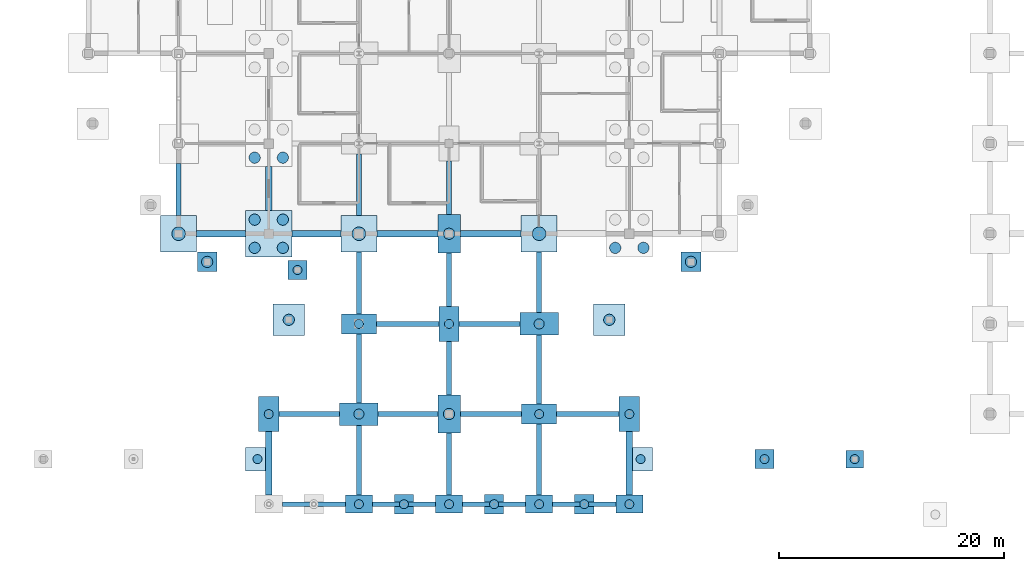
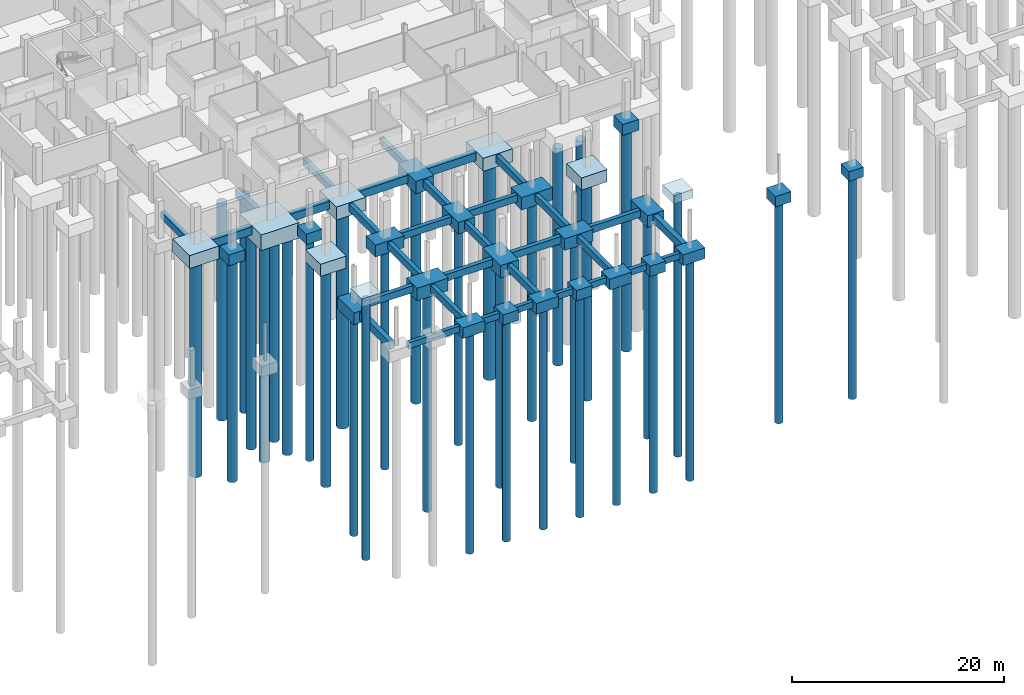
# One storey, part 3 of 48: 58 footings, 36 piles.
"""IFC4 building model written with IfcOpenShell, lengths in metres."""

from ifc_helpers import new_model, si_unit, derived_unit, direction, frame, origin, origin_2d, place, context, subcontext, project, spatial, rectangle, circle, extrude, material, material_profile, profile_set, type_object, element, save


model = new_model("IFC4")

# Units and contexts
model_context = context("Model", 3, precision=1e-05, world=origin(), true_north=direction((0.0, 1.0)))
body_context = subcontext(model_context, "Body", "Model", "MODEL_VIEW")
ifc_project = project(units=[si_unit("LENGTHUNIT", "METRE"), si_unit("AREAUNIT", "SQUARE_METRE"), si_unit("VOLUMEUNIT", "CUBIC_METRE"), si_unit("PLANEANGLEUNIT", "RADIAN"), si_unit("MASSUNIT", "GRAM", prefix="KILO"), derived_unit("THERMALTRANSMITTANCEUNIT", [(si_unit("MASSUNIT", "GRAM", prefix="KILO"), 1), (si_unit("TIMEUNIT", "SECOND"), -3), (si_unit("THERMODYNAMICTEMPERATUREUNIT", "KELVIN"), -1)])], contexts=[model_context])

# Site, building, storey
site_placement = place(None, origin())
site = spatial("IfcSite", under=ifc_project, at=site_placement, CompositionType="ELEMENT")
building_placement = place(site_placement, origin())
building = spatial("IfcBuilding", under=site, at=building_placement, Name="Veyamyaing Civic Hall", CompositionType="ELEMENT")
storey_placement = place(building_placement, frame((0.0, 0.0, -4.2900390625)))
storey = spatial("IfcBuildingStorey", under=building, at=storey_placement, Name="B1", CompositionType="ELEMENT", Elevation=-4.2900390625)

# Footings
ifc_material_1 = material(Name="Concrete C40/50", Category="concrete")
ifc_material_profile_1 = material_profile(ifc_material_1, rectangle(XDim=0.449951171875, YDim=0.800048828125, at=origin_2d()), Name="GB-450X800")
ifc_profile_set_1 = profile_set([ifc_material_profile_1], Name="Concrete C40/50")
footing_type_1 = type_object("IfcFootingType", Name="GB-02", PredefinedType="FOOTING_BEAM", material=ifc_profile_set_1)
footing_1_placement = place(storey_placement, frame((64.0, 25.60009765625, -0.550048828125), z_axis=(0.0, 1.0, 0.0), x_axis=(-1.0, 0.0, 0.0)))
element("IfcFooting", 1, at=footing_1_placement, inside=storey, type_object=footing_type_1, Name="Footing tie beam GB-02 Y 8-3", PredefinedType="FOOTING_BEAM", context=body_context, shape_type="SweptSolid", body=[
    extrude(rectangle(XDim=0.449951171875, YDim=0.800048828125, at=origin_2d()), origin(), (0.0, 0.0, 1.0), 4.64990234375),
])
footing_2_placement = place(storey_placement, frame((72.89990234375, 8.0, -0.550048828125), z_axis=(1.0, 0.0, 0.0), x_axis=(0.0, 1.0, 0.0)))
element("IfcFooting", 2, at=footing_2_placement, inside=storey, type_object=footing_type_1, Name="Footing tie beam GB-02 X 9-1", PredefinedType="FOOTING_BEAM", context=body_context, shape_type="SweptSolid", body=[
    extrude(rectangle(XDim=0.449951171875, YDim=0.800048828125, at=origin_2d()), origin(), (0.0, 0.0, 1.0), 5.400146484375),
])
footing_3_placement = place(storey_placement, frame((80.0, 0.800048828125, -0.550048828125), z_axis=(0.0, 1.0, 0.0), x_axis=(-1.0, 0.0, 0.0)))
element("IfcFooting", 3, at=footing_3_placement, inside=storey, type_object=footing_type_1, Name="Footing tie beam GB-02 Y 10-0", PredefinedType="FOOTING_BEAM", context=body_context, shape_type="SweptSolid", body=[
    extrude(rectangle(XDim=0.449951171875, YDim=0.800048828125, at=origin_2d()), origin(), (0.0, 0.0, 1.0), 6.199951171875),
])
footing_4_placement = place(storey_placement, frame((81.699951171875, 8.0, -0.550048828125), z_axis=(1.0, 0.0, 0.0), x_axis=(0.0, 1.0, 0.0)))
element("IfcFooting", 4, at=footing_4_placement, inside=storey, type_object=footing_type_1, Name="Footing tie beam GB-02 X 10-1", PredefinedType="FOOTING_BEAM", context=body_context, shape_type="SweptSolid", body=[
    extrude(rectangle(XDim=0.449951171875, YDim=0.800048828125, at=origin_2d()), origin(), (0.0, 0.0, 1.0), 5.300048828125),
])
footing_5_placement = place(storey_placement, frame((80.0, 9.0, -0.550048828125), z_axis=(0.0, 1.0, 0.0), x_axis=(-1.0, 0.0, 0.0)))
element("IfcFooting", 5, at=footing_5_placement, inside=storey, type_object=footing_type_1, Name="Footing tie beam GB-02 Y 10-1", PredefinedType="FOOTING_BEAM", context=body_context, shape_type="SweptSolid", body=[
    extrude(rectangle(XDim=0.449951171875, YDim=0.800048828125, at=origin_2d()), origin(), (0.0, 0.0, 1.0), 6.10009765625),
])
footing_6_placement = place(storey_placement, frame((81.550048828125, 16.0, -0.550048828125), z_axis=(1.0, 0.0, 0.0), x_axis=(0.0, 1.0, 0.0)))
element("IfcFooting", 6, at=footing_6_placement, inside=storey, type_object=footing_type_1, Name="Footing tie beam GB-02 X 10-2", PredefinedType="FOOTING_BEAM", context=body_context, shape_type="SweptSolid", body=[
    extrude(rectangle(XDim=0.449951171875, YDim=0.800048828125, at=origin_2d()), origin(), (0.0, 0.0, 1.0), 5.550048828125),
])
for number, where, z_axis, x_axis, name in (
    (7, (80.0, 16.89990234375, -0.550048828125), (0.0, 1.0, 0.0), (-1.0, 0.0, 0.0), "Footing tie beam GB-02 Y 10-2"),
    (8, (80.0, 25.60009765625, -0.550048828125), (0.0, 1.0, 0.0), (-1.0, 0.0, 0.0), "Footing tie beam GB-02 Y 10-3"),
    (9, (88.0, 0.800048828125, -0.550048828125), (0.0, 1.0, 0.0), (-1.0, 0.0, 0.0), "Footing tie beam GB-02 Y 11-0"),
):
    element("IfcFooting", number, at=place(storey_placement, frame(where, z_axis=z_axis, x_axis=x_axis)), inside=storey, type_object=footing_type_1, Name=name, PredefinedType="FOOTING_BEAM", context=body_context, shape_type="SweptSolid", body=[
        extrude(rectangle(XDim=0.449951171875, YDim=0.800048828125, at=origin_2d()), origin(), (0.0, 0.0, 1.0), 5.5),
    ])
footing_7_placement = place(storey_placement, frame((89.0, 8.0, -0.550048828125), z_axis=(1.0, 0.0, 0.0), x_axis=(0.0, 1.0, 0.0)))
element("IfcFooting", 10, at=footing_7_placement, inside=storey, type_object=footing_type_1, Name="Footing tie beam GB-02 X 11-1", PredefinedType="FOOTING_BEAM", context=body_context, shape_type="SweptSolid", body=[
    extrude(rectangle(XDim=0.449951171875, YDim=0.800048828125, at=origin_2d()), origin(), (0.0, 0.0, 1.0), 5.449951171875),
])
footing_8_placement = place(storey_placement, frame((88.0, 9.699951171875, -0.550048828125), z_axis=(0.0, 1.0, 0.0), x_axis=(-1.0, 0.0, 0.0)))
element("IfcFooting", 11, at=footing_8_placement, inside=storey, type_object=footing_type_1, Name="Footing tie beam GB-02 Y 11-1", PredefinedType="FOOTING_BEAM", context=body_context, shape_type="SweptSolid", body=[
    extrude(rectangle(XDim=0.449951171875, YDim=0.800048828125, at=origin_2d()), origin(), (0.0, 0.0, 1.0), 4.75),
])
footing_9_placement = place(storey_placement, frame((88.89990234375, 16.0, -0.550048828125), z_axis=(1.0, 0.0, 0.0), x_axis=(0.0, 1.0, 0.0)))
element("IfcFooting", 12, at=footing_9_placement, inside=storey, type_object=footing_type_1, Name="Footing tie beam GB-02 X 11-2", PredefinedType="FOOTING_BEAM", context=body_context, shape_type="SweptSolid", body=[
    extrude(rectangle(XDim=0.449951171875, YDim=0.800048828125, at=origin_2d()), origin(), (0.0, 0.0, 1.0), 5.400146484375),
])
for number, where, z_axis, x_axis, name in (
    (13, (88.0, 17.550048828125, -0.550048828125), (0.0, 1.0, 0.0), (-1.0, 0.0, 0.0), "Footing tie beam GB-02 Y 11-2"),
    (14, (88.0, 25.699951171875, -0.550048828125), (0.0, 1.0, 0.0), (-1.0, 0.0, 0.0), "Footing tie beam GB-02 Y 11-3"),
):
    element("IfcFooting", number, at=place(storey_placement, frame(where, z_axis=z_axis, x_axis=x_axis)), inside=storey, type_object=footing_type_1, Name=name, PredefinedType="FOOTING_BEAM", context=body_context, shape_type="SweptSolid", body=[
        extrude(rectangle(XDim=0.449951171875, YDim=0.800048828125, at=origin_2d()), origin(), (0.0, 0.0, 1.0), 4.75),
    ])
footing_10_placement = place(storey_placement, frame((96.0, 0.800048828125, -0.550048828125), z_axis=(0.0, 1.0, 0.0), x_axis=(-1.0, 0.0, 0.0)))
element("IfcFooting", 15, at=footing_10_placement, inside=storey, type_object=footing_type_1, Name="Footing tie beam GB-02 Y 12-0", PredefinedType="FOOTING_BEAM", context=body_context, shape_type="SweptSolid", body=[
    extrude(rectangle(XDim=0.449951171875, YDim=0.800048828125, at=origin_2d()), origin(), (0.0, 0.0, 1.0), 6.300048828125),
])
footing_11_placement = place(storey_placement, frame((97.550048828125, 8.0, -0.550048828125), z_axis=(1.0, 0.0, 0.0), x_axis=(0.0, 1.0, 0.0)))
element("IfcFooting", 16, at=footing_11_placement, inside=storey, type_object=footing_type_1, Name="Footing tie beam GB-02 X 12-1", PredefinedType="FOOTING_BEAM", context=body_context, shape_type="SweptSolid", body=[
    extrude(rectangle(XDim=0.449951171875, YDim=0.800048828125, at=origin_2d()), origin(), (0.0, 0.0, 1.0), 5.550048828125),
])
footing_12_placement = place(storey_placement, frame((96.0, 8.89990234375, -0.550048828125), z_axis=(0.0, 1.0, 0.0), x_axis=(-1.0, 0.0, 0.0)))
element("IfcFooting", 17, at=footing_12_placement, inside=storey, type_object=footing_type_1, Name="Footing tie beam GB-02 Y 12-1", PredefinedType="FOOTING_BEAM", context=body_context, shape_type="SweptSolid", body=[
    extrude(rectangle(XDim=0.449951171875, YDim=0.800048828125, at=origin_2d()), origin(), (0.0, 0.0, 1.0), 6.10009765625),
])
footing_13_placement = place(storey_placement, frame((96.0, 17.0, -0.550048828125), z_axis=(0.0, 1.0, 0.0), x_axis=(-1.0, 0.0, 0.0)))
element("IfcFooting", 18, at=footing_13_placement, inside=storey, type_object=footing_type_1, Name="Footing tie beam GB-02 Y 12-2", PredefinedType="FOOTING_BEAM", context=body_context, shape_type="SweptSolid", body=[
    extrude(rectangle(XDim=0.449951171875, YDim=0.800048828125, at=origin_2d()), origin(), (0.0, 0.0, 1.0), 5.39990234375),
])
ifc_material_profile_2 = material_profile(ifc_material_1, rectangle(XDim=0.39990234375, YDim=0.699951171875, at=origin_2d()), Name="GB-400X700")
ifc_profile_set_2 = profile_set([ifc_material_profile_2], Name="Concrete C40/50")
footing_type_2 = type_object("IfcFootingType", Name="GB-03", PredefinedType="FOOTING_BEAM", material=ifc_profile_set_2)
for number, where, z_axis, x_axis, name in (
    (19, (73.199951171875, 0.0, -0.5), (1.0, 0.0, 0.0), (0.0, 1.0, 0.0), "Footing tie beam GB-03 X 9-0"),
    (20, (81.199951171875, 0.0, -0.5), (1.0, 0.0, 0.0), (0.0, 1.0, 0.0), "Footing tie beam GB-03 X 10-0"),
    (21, (89.199951171875, 0.0, -0.5), (1.0, 0.0, 0.0), (0.0, 1.0, 0.0), "Footing tie beam GB-03 X 11-0"),
    (22, (97.199951171875, 0.0, -0.5), (1.0, 0.0, 0.0), (0.0, 1.0, 0.0), "Footing tie beam GB-03 X 12-0"),
):
    element("IfcFooting", number, at=place(storey_placement, frame(where, z_axis=z_axis, x_axis=x_axis)), inside=storey, type_object=footing_type_2, Name=name, PredefinedType="FOOTING_BEAM", context=body_context, shape_type="SweptSolid", body=[
        extrude(rectangle(XDim=0.39990234375, YDim=0.699951171875, at=origin_2d()), origin(), (0.0, 0.0, 1.0), 5.60009765625),
    ])
ifc_material_profile_3 = material_profile(ifc_material_1, rectangle(XDim=0.550048828125, YDim=0.89990234375, at=origin_2d()), Name="GB-550X900")
ifc_profile_set_3 = profile_set([ifc_material_profile_3], Name="Concrete C40/50")
footing_type_3 = type_object("IfcFootingType", Name="GB-04", PredefinedType="FOOTING_BEAM", material=ifc_profile_set_3)
footing_14_placement = place(storey_placement, frame((65.60009765625, 24.0, -0.599853515625), z_axis=(1.0, 0.0, 0.0), x_axis=(0.0, 1.0, 0.0)))
element("IfcFooting", 23, at=footing_14_placement, inside=storey, type_object=footing_type_3, Name="Footing tie beam GB-04 X 8-3", PredefinedType="FOOTING_BEAM", context=body_context, shape_type="SweptSolid", body=[
    extrude(rectangle(XDim=0.550048828125, YDim=0.89990234375, at=origin_2d()), origin(), (0.0, 0.0, 1.0), 4.349853515625),
])
footing_15_placement = place(storey_placement, frame((72.0, 0.800048828125, -0.599853515625), z_axis=(0.0, 1.0, 0.0), x_axis=(-1.0, 0.0, 0.0)))
element("IfcFooting", 24, at=footing_15_placement, inside=storey, type_object=footing_type_3, Name="Footing tie beam GB-04 Y 9-0", PredefinedType="FOOTING_BEAM", context=body_context, shape_type="SweptSolid", body=[
    extrude(rectangle(XDim=0.550048828125, YDim=0.89990234375, at=origin_2d()), origin(), (0.0, 0.0, 1.0), 5.64990234375),
])
footing_16_placement = place(storey_placement, frame((74.050048828125, 24.0, -0.599853515625), z_axis=(1.0, 0.0, 0.0), x_axis=(0.0, 1.0, 0.0)))
element("IfcFooting", 25, at=footing_16_placement, inside=storey, type_object=footing_type_3, Name="Footing tie beam GB-04 X 9-3", PredefinedType="FOOTING_BEAM", context=body_context, shape_type="SweptSolid", body=[
    extrude(rectangle(XDim=0.550048828125, YDim=0.89990234375, at=origin_2d()), origin(), (0.0, 0.0, 1.0), 4.349853515625),
])
footing_17_placement = place(storey_placement, frame((72.0, 26.050048828125, -0.599853515625), z_axis=(0.0, 1.0, 0.0), x_axis=(-1.0, 0.0, 0.0)))
element("IfcFooting", 26, at=footing_17_placement, inside=storey, type_object=footing_type_3, Name="Footing tie beam GB-04 Y 9-3", PredefinedType="FOOTING_BEAM", context=body_context, shape_type="SweptSolid", body=[
    extrude(rectangle(XDim=0.550048828125, YDim=0.89990234375, at=origin_2d()), origin(), (0.0, 0.0, 1.0), 3.89990234375),
])
for number, where, z_axis, x_axis, name in (
    (27, (81.60009765625, 24.0, -0.599853515625), (1.0, 0.0, 0.0), (0.0, 1.0, 0.0), "Footing tie beam GB-04 X 10-3"),
    (28, (89.0, 24.0, -0.599853515625), (1.0, 0.0, 0.0), (0.0, 1.0, 0.0), "Footing tie beam GB-04 X 11-3"),
):
    element("IfcFooting", number, at=place(storey_placement, frame(where, z_axis=z_axis, x_axis=x_axis)), inside=storey, type_object=footing_type_3, Name=name, PredefinedType="FOOTING_BEAM", context=body_context, shape_type="SweptSolid", body=[
        extrude(rectangle(XDim=0.550048828125, YDim=0.89990234375, at=origin_2d()), origin(), (0.0, 0.0, 1.0), 5.39990234375),
    ])
footing_18_placement = place(storey_placement, frame((104.0, 0.800048828125, -0.599853515625), z_axis=(0.0, 1.0, 0.0), x_axis=(-1.0, 0.0, 0.0)))
element("IfcFooting", 29, at=footing_18_placement, inside=storey, type_object=footing_type_3, Name="Footing tie beam GB-04 Y 13-0", PredefinedType="FOOTING_BEAM", context=body_context, shape_type="SweptSolid", body=[
    extrude(rectangle(XDim=0.550048828125, YDim=0.89990234375, at=origin_2d()), origin(), (0.0, 0.0, 1.0), 5.64990234375),
])

# Piles
ifc_material_2 = material(Name="Concrete C35/45", Category="concrete")
ifc_material_profile_4 = material_profile(ifc_material_2, circle(Radius=0.60009765625, at=origin_2d()), Name="PILE-D1200")
ifc_profile_set_4 = profile_set([ifc_material_profile_4], Name="Concrete C35/45")
pile_type_1 = type_object("IfcPileType", Name="P-01", PredefinedType="BORED", material=ifc_profile_set_4)
for number, where, z_axis, x_axis, name in (
    (30, (64.0, 24.0, -1.39990234375), (0.0, 0.0, -1.0), (1.0, 0.0, 0.0), "Bored pile P-01 G08-03.1"),
    (31, (80.0, 24.0, -1.39990234375), (0.0, 0.0, -1.0), (1.0, 0.0, 0.0), "Bored pile P-01 G10-03.1"),
    (32, (96.0, 24.0, -1.39990234375), (0.0, 0.0, -1.0), (1.0, 0.0, 0.0), "Bored pile P-01 G12-03.1"),
):
    element("IfcPile", number, at=place(storey_placement, frame(where, z_axis=z_axis, x_axis=x_axis)), inside=storey, type_object=pile_type_1, Name=name, PredefinedType="BORED", context=body_context, shape_type="SweptSolid", body=[
        extrude(circle(Radius=0.60009765625, at=origin_2d()), origin(), (0.0, 0.0, 1.0), 25.31005859375),
    ])
ifc_material_profile_5 = material_profile(ifc_material_2, circle(Radius=0.5, at=origin_2d()), Name="PILE-D1000")
ifc_profile_set_5 = profile_set([ifc_material_profile_5], Name="Concrete C35/45")
pile_type_2 = type_object("IfcPileType", Name="P-03", PredefinedType="BORED", material=ifc_profile_set_5)
for number, where, z_axis, x_axis, name in (
    (33, (70.75, 22.75, -1.699951171875), (0.0, 0.0, -1.0), (1.0, 0.0, 0.0), "Bored pile P-03 G09-03.1"),
    (34, (70.75, 25.25, -1.699951171875), (0.0, 0.0, -1.0), (1.0, 0.0, 0.0), "Bored pile P-03 G09-03.2"),
    (35, (73.25, 22.75, -1.699951171875), (0.0, 0.0, -1.0), (1.0, 0.0, 0.0), "Bored pile P-03 G09-03.3"),
    (36, (73.25, 25.25, -1.699951171875), (0.0, 0.0, -1.0), (1.0, 0.0, 0.0), "Bored pile P-03 G09-03.4"),
    (37, (70.75, 30.75, -1.699951171875), (0.0, 0.0, -1.0), (1.0, 0.0, 0.0), "Bored pile P-03 G09-04.1"),
    (38, (73.25, 30.75, -1.699951171875), (0.0, 0.0, -1.0), (1.0, 0.0, 0.0), "Bored pile P-03 G09-04.3"),
):
    element("IfcPile", number, at=place(storey_placement, frame(where, z_axis=z_axis, x_axis=x_axis)), inside=storey, type_object=pile_type_2, Name=name, PredefinedType="BORED", context=body_context, shape_type="SweptSolid", body=[
        extrude(circle(Radius=0.5, at=origin_2d()), origin(), (0.0, 0.0, 1.0), 25.010009765625),
    ])
for number, where, z_axis, x_axis, name in (
    (39, (88.0, 8.0, -1.349853515625), (0.0, 0.0, -1.0), (1.0, 0.0, 0.0), "Bored pile P-03 G11-01.1"),
    (40, (88.0, 24.0, -1.349853515625), (0.0, 0.0, -1.0), (1.0, 0.0, 0.0), "Bored pile P-03 G11-03.1"),
):
    element("IfcPile", number, at=place(storey_placement, frame(where, z_axis=z_axis, x_axis=x_axis)), inside=storey, type_object=pile_type_2, Name=name, PredefinedType="BORED", context=body_context, shape_type="SweptSolid", body=[
        extrude(circle(Radius=0.5, at=origin_2d()), origin(), (0.0, 0.0, 1.0), 25.360107421875),
    ])
for number, where, z_axis, x_axis, name in (
    (41, (102.75, 22.75, -1.699951171875), (0.0, 0.0, -1.0), (1.0, 0.0, 0.0), "Bored pile P-03 G13-03.1"),
    (42, (105.25, 22.75, -1.699951171875), (0.0, 0.0, -1.0), (1.0, 0.0, 0.0), "Bored pile P-03 G13-03.3"),
):
    element("IfcPile", number, at=place(storey_placement, frame(where, z_axis=z_axis, x_axis=x_axis)), inside=storey, type_object=pile_type_2, Name=name, PredefinedType="BORED", context=body_context, shape_type="SweptSolid", body=[
        extrude(circle(Radius=0.5, at=origin_2d()), origin(), (0.0, 0.0, 1.0), 25.010009765625),
    ])
pile_1_placement = place(storey_placement, frame((66.533447265625, 21.5048828125, -1.14990234375), z_axis=(0.0, 0.0, -1.0), x_axis=(1.0, 0.0, 0.0)))
element("IfcPile", 43, at=pile_1_placement, inside=storey, type_object=pile_type_2, Name="Bored pile P-03 ARC-SW-09.1", PredefinedType="BORED", context=body_context, shape_type="SweptSolid", body=[
    extrude(circle(Radius=0.5, at=origin_2d()), origin(), (0.0, 0.0, 1.0), 25.56005859375),
])
for number, where, z_axis, x_axis, name in (
    (44, (73.779296875, 16.36376953125, -1.300048828125), (0.0, 0.0, -1.0), (1.0, 0.0, 0.0), "Bored pile P-03 ARC-SW-14.1"),
    (45, (102.220703125, 16.36376953125, -1.300048828125), (0.0, 0.0, -1.0), (1.0, 0.0, 0.0), "Bored pile P-03 ARC-SE-00.1"),
):
    element("IfcPile", number, at=place(storey_placement, frame(where, z_axis=z_axis, x_axis=x_axis)), inside=storey, type_object=pile_type_2, Name=name, PredefinedType="BORED", context=body_context, shape_type="SweptSolid", body=[
        extrude(circle(Radius=0.5, at=origin_2d()), origin(), (0.0, 0.0, 1.0), 25.409912109375),
    ])
pile_2_placement = place(storey_placement, frame((109.466552734375, 21.5048828125, -1.14990234375), z_axis=(0.0, 0.0, -1.0), x_axis=(1.0, 0.0, 0.0)))
element("IfcPile", 46, at=pile_2_placement, inside=storey, type_object=pile_type_2, Name="Bored pile P-03 ARC-SE-05.1", PredefinedType="BORED", context=body_context, shape_type="SweptSolid", body=[
    extrude(circle(Radius=0.5, at=origin_2d()), origin(), (0.0, 0.0, 1.0), 25.56005859375),
])
ifc_material_profile_6 = material_profile(ifc_material_2, circle(Radius=0.449951171875, at=origin_2d()), Name="PILE-D900")
ifc_profile_set_6 = profile_set([ifc_material_profile_6], Name="Concrete C35/45")
pile_type_3 = type_object("IfcPileType", Name="P-04", PredefinedType="BORED", material=ifc_profile_set_6)
for number, where, z_axis, x_axis, name in (
    (47, (80.0, 8.0, -1.349853515625), (0.0, 0.0, -1.0), (1.0, 0.0, 0.0), "Bored pile P-04 G10-01.1"),
    (48, (96.0, 16.0, -1.349853515625), (0.0, 0.0, -1.0), (1.0, 0.0, 0.0), "Bored pile P-04 G12-02.1"),
):
    element("IfcPile", number, at=place(storey_placement, frame(where, z_axis=z_axis, x_axis=x_axis)), inside=storey, type_object=pile_type_3, Name=name, PredefinedType="BORED", context=body_context, shape_type="SweptSolid", body=[
        extrude(circle(Radius=0.449951171875, at=origin_2d()), origin(), (0.0, 0.0, 1.0), 25.360107421875),
    ])
ifc_material_profile_7 = material_profile(ifc_material_2, circle(Radius=0.39990234375, at=origin_2d()), Name="PILE-D800")
ifc_profile_set_7 = profile_set([ifc_material_profile_7], Name="Concrete C35/45")
pile_type_4 = type_object("IfcPileType", Name="P-05", PredefinedType="BORED", material=ifc_profile_set_7)
pile_3_placement = place(storey_placement, frame((72.0, 8.0, -1.25), z_axis=(0.0, 0.0, -1.0), x_axis=(1.0, 0.0, 0.0)))
element("IfcPile", 49, at=pile_3_placement, inside=storey, type_object=pile_type_4, Name="Bored pile P-05 G09-01.1", PredefinedType="BORED", context=body_context, shape_type="SweptSolid", body=[
    extrude(circle(Radius=0.39990234375, at=origin_2d()), origin(), (0.0, 0.0, 1.0), 25.4599609375),
])
pile_4_placement = place(storey_placement, frame((80.0, 0.0, -1.14990234375), z_axis=(0.0, 0.0, -1.0), x_axis=(1.0, 0.0, 0.0)))
element("IfcPile", 50, at=pile_4_placement, inside=storey, type_object=pile_type_4, Name="Bored pile P-05 G10-00.1", PredefinedType="BORED", context=body_context, shape_type="SweptSolid", body=[
    extrude(circle(Radius=0.39990234375, at=origin_2d()), origin(), (0.0, 0.0, 1.0), 25.56005859375),
])
pile_5_placement = place(storey_placement, frame((80.0, 16.0, -1.25), z_axis=(0.0, 0.0, -1.0), x_axis=(1.0, 0.0, 0.0)))
element("IfcPile", 51, at=pile_5_placement, inside=storey, type_object=pile_type_4, Name="Bored pile P-05 G10-02.1", PredefinedType="BORED", context=body_context, shape_type="SweptSolid", body=[
    extrude(circle(Radius=0.39990234375, at=origin_2d()), origin(), (0.0, 0.0, 1.0), 25.4599609375),
])
pile_6_placement = place(storey_placement, frame((88.0, 0.0, -1.14990234375), z_axis=(0.0, 0.0, -1.0), x_axis=(1.0, 0.0, 0.0)))
element("IfcPile", 52, at=pile_6_placement, inside=storey, type_object=pile_type_4, Name="Bored pile P-05 G11-00.1", PredefinedType="BORED", context=body_context, shape_type="SweptSolid", body=[
    extrude(circle(Radius=0.39990234375, at=origin_2d()), origin(), (0.0, 0.0, 1.0), 25.56005859375),
])
pile_7_placement = place(storey_placement, frame((88.0, 16.0, -1.25), z_axis=(0.0, 0.0, -1.0), x_axis=(1.0, 0.0, 0.0)))
element("IfcPile", 53, at=pile_7_placement, inside=storey, type_object=pile_type_4, Name="Bored pile P-05 G11-02.1", PredefinedType="BORED", context=body_context, shape_type="SweptSolid", body=[
    extrude(circle(Radius=0.39990234375, at=origin_2d()), origin(), (0.0, 0.0, 1.0), 25.4599609375),
])
pile_8_placement = place(storey_placement, frame((96.0, 0.0, -1.14990234375), z_axis=(0.0, 0.0, -1.0), x_axis=(1.0, 0.0, 0.0)))
element("IfcPile", 54, at=pile_8_placement, inside=storey, type_object=pile_type_4, Name="Bored pile P-05 G12-00.1", PredefinedType="BORED", context=body_context, shape_type="SweptSolid", body=[
    extrude(circle(Radius=0.39990234375, at=origin_2d()), origin(), (0.0, 0.0, 1.0), 25.56005859375),
])
pile_9_placement = place(storey_placement, frame((96.0, 8.0, -1.25), z_axis=(0.0, 0.0, -1.0), x_axis=(1.0, 0.0, 0.0)))
element("IfcPile", 55, at=pile_9_placement, inside=storey, type_object=pile_type_4, Name="Bored pile P-05 G12-01.1", PredefinedType="BORED", context=body_context, shape_type="SweptSolid", body=[
    extrude(circle(Radius=0.39990234375, at=origin_2d()), origin(), (0.0, 0.0, 1.0), 25.4599609375),
])
pile_10_placement = place(storey_placement, frame((104.0, 0.0, -1.14990234375), z_axis=(0.0, 0.0, -1.0), x_axis=(1.0, 0.0, 0.0)))
element("IfcPile", 56, at=pile_10_placement, inside=storey, type_object=pile_type_4, Name="Bored pile P-05 G13-00.1", PredefinedType="BORED", context=body_context, shape_type="SweptSolid", body=[
    extrude(circle(Radius=0.39990234375, at=origin_2d()), origin(), (0.0, 0.0, 1.0), 25.56005859375),
])
pile_11_placement = place(storey_placement, frame((104.0, 8.0, -1.25), z_axis=(0.0, 0.0, -1.0), x_axis=(1.0, 0.0, 0.0)))
element("IfcPile", 57, at=pile_11_placement, inside=storey, type_object=pile_type_4, Name="Bored pile P-05 G13-01.1", PredefinedType="BORED", context=body_context, shape_type="SweptSolid", body=[
    extrude(circle(Radius=0.39990234375, at=origin_2d()), origin(), (0.0, 0.0, 1.0), 25.4599609375),
])
for number, where, z_axis, x_axis, name in (
    (58, (84.0, 0.0, -1.099853515625), (0.0, 0.0, -1.0), (1.0, 0.0, 0.0), "Bored pile P-05 PCOL-MID-2.1"),
    (59, (92.0, 0.0, -1.099853515625), (0.0, 0.0, -1.0), (1.0, 0.0, 0.0), "Bored pile P-05 PCOL-MID-3.1"),
    (60, (100.0, 0.0, -1.099853515625), (0.0, 0.0, -1.0), (1.0, 0.0, 0.0), "Bored pile P-05 PCOL-MID-4.1"),
):
    element("IfcPile", number, at=place(storey_placement, frame(where, z_axis=z_axis, x_axis=x_axis)), inside=storey, type_object=pile_type_4, Name=name, PredefinedType="BORED", context=body_context, shape_type="SweptSolid", body=[
        extrude(circle(Radius=0.39990234375, at=origin_2d()), origin(), (0.0, 0.0, 1.0), 25.610107421875),
    ])
pile_12_placement = place(storey_placement, frame((124.0, 4.0, -1.0), z_axis=(0.0, 0.0, -1.0), x_axis=(1.0, 0.0, 0.0)))
element("IfcPile", 61, at=pile_12_placement, inside=storey, type_object=pile_type_4, Name="Bored pile P-05 APR-SE.1", PredefinedType="BORED", context=body_context, shape_type="SweptSolid", body=[
    extrude(circle(Radius=0.39990234375, at=origin_2d()), origin(), (0.0, 0.0, 1.0), 25.7099609375),
])
for number, where, z_axis, x_axis, name in (
    (62, (71.0, 4.0, 3.300048828125), (0.0, 0.0, -1.0), (1.0, 0.0, 0.0), "Bored pile P-05 RMP-PSW.1"),
    (63, (105.0, 4.0, 3.300048828125), (0.0, 0.0, -1.0), (1.0, 0.0, 0.0), "Bored pile P-05 RMP-PSE.1"),
):
    element("IfcPile", number, at=place(storey_placement, frame(where, z_axis=z_axis, x_axis=x_axis)), inside=storey, type_object=pile_type_4, Name=name, PredefinedType="BORED", context=body_context, shape_type="SweptSolid", body=[
        extrude(circle(Radius=0.39990234375, at=origin_2d()), origin(), (0.0, 0.0, 1.0), 30.010009765625),
    ])
for number, where, z_axis, x_axis, name in (
    (64, (116.0, 4.0, -1.099853515625), (0.0, 0.0, -1.0), (1.0, 0.0, 0.0), "Bored pile P-05 FC-SE.1"),
    (65, (74.550048828125, 20.780029296875, -1.099853515625), (0.0, 0.0, -1.0), (1.0, 0.0, 0.0), "Bored pile P-05 ST08-SW.1"),
):
    element("IfcPile", number, at=place(storey_placement, frame(where, z_axis=z_axis, x_axis=x_axis)), inside=storey, type_object=pile_type_4, Name=name, PredefinedType="BORED", context=body_context, shape_type="SweptSolid", body=[
        extrude(circle(Radius=0.39990234375, at=origin_2d()), origin(), (0.0, 0.0, 1.0), 25.610107421875),
    ])

# Footings
footing_type_4 = type_object("IfcFootingType", Name="PC-03", PredefinedType="PILE_CAP", material=ifc_material_1)
for number, where, z_axis, x_axis, name in (
    (66, (64.0, 24.0, -1.5), (0.0, 0.0, 1.0), (1.0, 0.0, 0.0), "Pile cap PC-03 G08-03"),
    (67, (80.0, 24.0, -1.5), (0.0, 0.0, 1.0), (1.0, 0.0, 0.0), "Pile cap PC-03 G10-03"),
    (68, (96.0, 24.0, -1.5), (0.0, 0.0, 1.0), (1.0, 0.0, 0.0), "Pile cap PC-03 G12-03"),
):
    element("IfcFooting", number, at=place(storey_placement, frame(where, z_axis=z_axis, x_axis=x_axis)), inside=storey, type_object=footing_type_4, Name=name, PredefinedType="PILE_CAP", context=body_context, shape_type="SweptSolid", body=[
        extrude(rectangle(XDim=3.199951171875, YDim=3.199951171875, at=origin_2d()), origin(), (0.0, 0.0, 1.0), 1.5),
    ])
footing_type_5 = type_object("IfcFootingType", Name="PC-04", PredefinedType="PILE_CAP", material=ifc_material_1)
for number, where, z_axis, x_axis, name in (
    (69, (80.0, 8.0, -1.44970703125), (0.0, 0.0, 1.0), (1.0, 0.0, 0.0), "Pile cap PC-04 G10-01"),
    (70, (96.0, 16.0, -1.44970703125), (0.0, 0.0, 1.0), (1.0, 0.0, 0.0), "Pile cap PC-04 G12-02"),
):
    element("IfcFooting", number, at=place(storey_placement, frame(where, z_axis=z_axis, x_axis=x_axis)), inside=storey, type_object=footing_type_5, Name=name, PredefinedType="PILE_CAP", context=body_context, shape_type="SweptSolid", body=[
        extrude(rectangle(XDim=3.39990234375, YDim=2.0, at=origin_2d()), origin(), (0.0, 0.0, 1.0), 1.449951171875),
    ])
footing_type_6 = type_object("IfcFootingType", Name="PC-05", PredefinedType="PILE_CAP", material=ifc_material_1)
for number, where, z_axis, x_axis, name in (
    (71, (88.0, 8.0, -1.44970703125), (0.0, 0.0, 1.0), (1.0, 0.0, 0.0), "Pile cap PC-05 G11-01"),
    (72, (88.0, 24.0, -1.44970703125), (0.0, 0.0, 1.0), (1.0, 0.0, 0.0), "Pile cap PC-05 G11-03"),
):
    element("IfcFooting", number, at=place(storey_placement, frame(where, z_axis=z_axis, x_axis=x_axis)), inside=storey, type_object=footing_type_6, Name=name, PredefinedType="PILE_CAP", context=body_context, shape_type="SweptSolid", body=[
        extrude(rectangle(XDim=2.0, YDim=3.39990234375, at=origin_2d()), origin(), (0.0, 0.0, 1.0), 1.449951171875),
    ])
footing_type_7 = type_object("IfcFootingType", Name="PC-06", PredefinedType="PILE_CAP", material=ifc_material_1)
for number, where, z_axis, x_axis, name in (
    (73, (80.0, 16.0, -1.35009765625), (0.0, 0.0, 1.0), (1.0, 0.0, 0.0), "Pile cap PC-06 G10-02"),
    (74, (96.0, 8.0, -1.35009765625), (0.0, 0.0, 1.0), (1.0, 0.0, 0.0), "Pile cap PC-06 G12-01"),
):
    element("IfcFooting", number, at=place(storey_placement, frame(where, z_axis=z_axis, x_axis=x_axis)), inside=storey, type_object=footing_type_7, Name=name, PredefinedType="PILE_CAP", context=body_context, shape_type="SweptSolid", body=[
        extrude(rectangle(XDim=3.10009765625, YDim=1.800048828125, at=origin_2d()), origin(), (0.0, 0.0, 1.0), 1.35009765625),
    ])
footing_type_8 = type_object("IfcFootingType", Name="PC-07", PredefinedType="PILE_CAP", material=ifc_material_1)
for number, where, z_axis, x_axis, name in (
    (75, (72.0, 8.0, -1.35009765625), (0.0, 0.0, 1.0), (1.0, 0.0, 0.0), "Pile cap PC-07 G09-01"),
    (76, (88.0, 16.0, -1.35009765625), (0.0, 0.0, 1.0), (1.0, 0.0, 0.0), "Pile cap PC-07 G11-02"),
    (77, (104.0, 8.0, -1.35009765625), (0.0, 0.0, 1.0), (1.0, 0.0, 0.0), "Pile cap PC-07 G13-01"),
):
    element("IfcFooting", number, at=place(storey_placement, frame(where, z_axis=z_axis, x_axis=x_axis)), inside=storey, type_object=footing_type_8, Name=name, PredefinedType="PILE_CAP", context=body_context, shape_type="SweptSolid", body=[
        extrude(rectangle(XDim=1.800048828125, YDim=3.10009765625, at=origin_2d()), origin(), (0.0, 0.0, 1.0), 1.35009765625),
    ])
footing_type_9 = type_object("IfcFootingType", Name="PC-08", PredefinedType="PILE_CAP", material=ifc_material_1)
for number, where, z_axis, x_axis, name in (
    (78, (73.779296875, 16.36376953125, -1.39990234375), (0.0, 0.0, 1.0), (1.0, 0.0, 0.0), "Pile cap PC-08 ARC-SW-14"),
    (79, (102.220703125, 16.36376953125, -1.39990234375), (0.0, 0.0, 1.0), (1.0, 0.0, 0.0), "Pile cap PC-08 ARC-SE-00"),
):
    element("IfcFooting", number, at=place(storey_placement, frame(where, z_axis=z_axis, x_axis=x_axis)), inside=storey, type_object=footing_type_9, Name=name, PredefinedType="PILE_CAP", context=body_context, shape_type="SweptSolid", body=[
        extrude(rectangle(XDim=2.800048828125, YDim=2.800048828125, at=origin_2d()), origin(), (0.0, 0.0, 1.0), 1.39990234375),
    ])
footing_type_10 = type_object("IfcFootingType", Name="PC-09", PredefinedType="PILE_CAP", material=ifc_material_1)
for number, where, z_axis, x_axis, name in (
    (80, (80.0, 0.0, -1.25), (0.0, 0.0, 1.0), (1.0, 0.0, 0.0), "Pile cap PC-09 G10-00"),
    (81, (88.0, 0.0, -1.25), (0.0, 0.0, 1.0), (1.0, 0.0, 0.0), "Pile cap PC-09 G11-00"),
    (82, (96.0, 0.0, -1.25), (0.0, 0.0, 1.0), (1.0, 0.0, 0.0), "Pile cap PC-09 G12-00"),
    (83, (104.0, 0.0, -1.25), (0.0, 0.0, 1.0), (1.0, 0.0, 0.0), "Pile cap PC-09 G13-00"),
):
    element("IfcFooting", number, at=place(storey_placement, frame(where, z_axis=z_axis, x_axis=x_axis)), inside=storey, type_object=footing_type_10, Name=name, PredefinedType="PILE_CAP", context=body_context, shape_type="SweptSolid", body=[
        extrude(rectangle(XDim=2.39990234375, YDim=1.60009765625, at=origin_2d()), origin(), (0.0, 0.0, 1.0), 1.25),
    ])
footing_type_11 = type_object("IfcFootingType", Name="PC-10", PredefinedType="PILE_CAP", material=ifc_material_1)
for number, where, z_axis, x_axis, name in (
    (84, (84.0, 0.0, -1.19970703125), (0.0, 0.0, 1.0), (1.0, 0.0, 0.0), "Pile cap PC-10 PCOL-MID-2"),
    (85, (92.0, 0.0, -1.19970703125), (0.0, 0.0, 1.0), (1.0, 0.0, 0.0), "Pile cap PC-10 PCOL-MID-3"),
    (86, (100.0, 0.0, -1.19970703125), (0.0, 0.0, 1.0), (1.0, 0.0, 0.0), "Pile cap PC-10 PCOL-MID-4"),
    (87, (116.0, 4.0, -1.19970703125), (0.0, 0.0, 1.0), (1.0, 0.0, 0.0), "Pile cap PC-10 FC-SE"),
    (88, (74.550048828125, 20.780029296875, -1.19970703125), (0.0, 0.0, 1.0), (1.0, 0.0, 0.0), "Pile cap PC-10 ST08-SW"),
):
    element("IfcFooting", number, at=place(storey_placement, frame(where, z_axis=z_axis, x_axis=x_axis)), inside=storey, type_object=footing_type_11, Name=name, PredefinedType="PILE_CAP", context=body_context, shape_type="SweptSolid", body=[
        extrude(rectangle(XDim=1.699951171875, YDim=1.699951171875, at=origin_2d()), origin(), (0.0, 0.0, 1.0), 1.199951171875),
    ])
footing_type_12 = type_object("IfcFootingType", Name="PC-11", PredefinedType="PILE_CAP", material=ifc_material_1)
footing_19_placement = place(storey_placement, frame((72.0, 24.0, -1.7998046875), z_axis=(0.0, 0.0, 1.0), x_axis=(1.0, 0.0, 0.0)))
element("IfcFooting", 89, at=footing_19_placement, inside=storey, type_object=footing_type_12, Name="Pile cap PC-11 G09-03", PredefinedType="PILE_CAP", context=body_context, shape_type="SweptSolid", body=[
    extrude(rectangle(XDim=4.10009765625, YDim=4.10009765625, at=origin_2d()), origin(), (0.0, 0.0, 1.0), 1.800048828125),
])
footing_type_13 = type_object("IfcFootingType", Name="PC-13", PredefinedType="PILE_CAP", material=ifc_material_1)
for number, where, z_axis, x_axis, name in (
    (90, (71.0, 4.0, 3.2001953125), (0.0, 0.0, 1.0), (1.0, 0.0, 0.0), "Pile cap PC-13 RMP-PSW"),
    (91, (105.0, 4.0, 3.2001953125), (0.0, 0.0, 1.0), (1.0, 0.0, 0.0), "Pile cap PC-13 RMP-PSE"),
):
    element("IfcFooting", number, at=place(storey_placement, frame(where, z_axis=z_axis, x_axis=x_axis)), inside=storey, type_object=footing_type_13, Name=name, PredefinedType="PILE_CAP", context=body_context, shape_type="SweptSolid", body=[
        extrude(rectangle(XDim=2.10009765625, YDim=2.10009765625, at=origin_2d()), origin(), (0.0, 0.0, 1.0), 0.949951171875),
    ])
footing_type_14 = type_object("IfcFootingType", Name="PC-14", PredefinedType="PILE_CAP", material=ifc_material_1)
footing_20_placement = place(storey_placement, frame((124.0, 4.0, -1.10009765625), z_axis=(0.0, 0.0, 1.0), x_axis=(1.0, 0.0, 0.0)))
element("IfcFooting", 92, at=footing_20_placement, inside=storey, type_object=footing_type_14, Name="Pile cap PC-14 APR-SE", PredefinedType="PILE_CAP", context=body_context, shape_type="SweptSolid", body=[
    extrude(rectangle(XDim=1.550048828125, YDim=1.550048828125, at=origin_2d()), origin(), (0.0, 0.0, 1.0), 1.10009765625),
])
footing_type_15 = type_object("IfcFootingType", Name="PC-15", PredefinedType="PILE_CAP", material=ifc_material_1)
for number, where, z_axis, x_axis, name in (
    (93, (66.533447265625, 21.5048828125, -1.25), (0.0, 0.0, 1.0), (1.0, 0.0, 0.0), "Pile cap PC-15 ARC-SW-09"),
    (94, (109.466552734375, 21.5048828125, -1.25), (0.0, 0.0, 1.0), (1.0, 0.0, 0.0), "Pile cap PC-15 ARC-SE-05"),
):
    element("IfcFooting", number, at=place(storey_placement, frame(where, z_axis=z_axis, x_axis=x_axis)), inside=storey, type_object=footing_type_15, Name=name, PredefinedType="PILE_CAP", context=body_context, shape_type="SweptSolid", body=[
        extrude(rectangle(XDim=1.75, YDim=1.75, at=origin_2d()), origin(), (0.0, 0.0, 1.0), 1.25),
    ])

save(model, "model.ifc")
